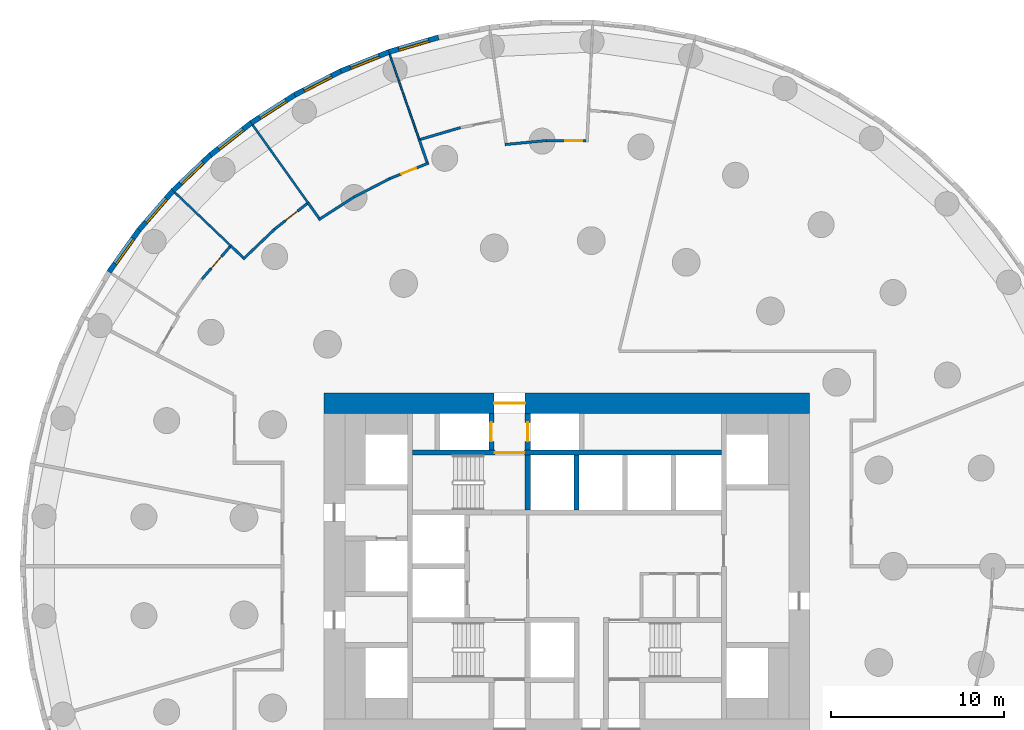
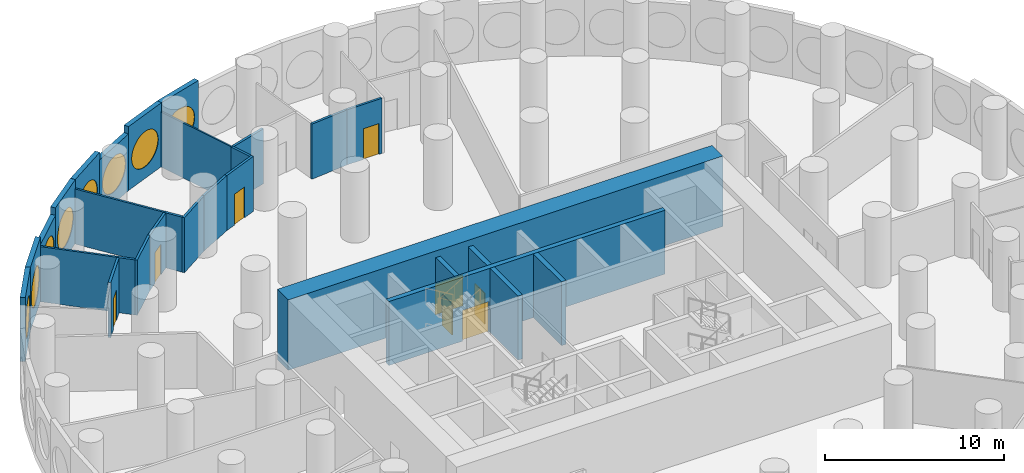
# One storey, part 7 of 11: 29 walls, 8 doors, 8 windows, 16 openings.
"""IFC4 building model written with IfcOpenShell, lengths in metres."""

from ifc_helpers import new_model, si_unit, direction, frame, frame_2d, origin, origin_2d, place, context, subcontext, project, spatial, rectangle, circle, extrude, material, layer, layer_set, type_object, element, fill, save


model = new_model("IFC4")

# Units and contexts
model_context = context("Model", 3, precision=1e-05, world=origin(), true_north=direction((0.0, 1.0)))
body_context = subcontext(model_context, "Body", "Model", "MODEL_VIEW")
ifc_project = project(units=[si_unit("LENGTHUNIT", "METRE"), si_unit("AREAUNIT", "SQUARE_METRE"), si_unit("VOLUMEUNIT", "CUBIC_METRE"), si_unit("PLANEANGLEUNIT", "RADIAN"), si_unit("MASSUNIT", "GRAM", prefix="KILO")], contexts=[model_context])

# Site, building, storey
site_placement = place(None, origin())
site = spatial("IfcSite", under=ifc_project, at=site_placement, CompositionType="ELEMENT")
building_placement = place(site_placement, origin())
building = spatial("IfcBuilding", under=site, at=building_placement, Name="Tracery Tower", CompositionType="ELEMENT")
storey_placement = place(building_placement, frame((0.0, 0.0, 23.39990234375)))
storey = spatial("IfcBuildingStorey", under=building, at=storey_placement, Name="L04", CompositionType="ELEMENT", Elevation=23.39990234375)

# Wall, opening, door
ifc_material_1 = material(Name="Concrete C60/75", Category="concrete")
ifc_layer_1 = layer(ifc_material_1, 1.199951171875)
ifc_layer_set_1 = layer_set([ifc_layer_1], Name="Core wall 1200 C60")
wall_type_1 = type_object("IfcWallType", Name="Core wall 1200 C60", PredefinedType="SOLIDWALL", material=ifc_layer_set_1)
wall_1_placement = place(storey_placement, frame((-14.0, 9.39990234375, 0.0), z_axis=(0.0, 0.0, 1.0), x_axis=(1.0, 0.0, 0.0)))
wall_1 = element("IfcWall", 1, at=wall_1_placement, inside=storey, type_object=wall_type_1, Name="L04 outer N", PredefinedType="SOLIDWALL", context=body_context, shape_type="SweptSolid", body=[
    extrude(rectangle(XDim=28.0, YDim=1.199951171875, at=frame_2d((14.0, 0.0))), origin(), (0.0, 0.0, 1.0), 4.800048828125),
])
opening_1_placement = place(wall_1_placement, frame((9.800048828125, 0.0, 0.0)))
opening_1 = element("IfcOpeningElement", 2, at=opening_1_placement, cuts=wall_1, Name="Opening KD13", PredefinedType="OPENING", context=body_context, shape_type="SweptSolid", body=[
    extrude(rectangle(XDim=1.800048828125, YDim=2.10009765625, at=frame_2d((0.89990234375, 1.050048828125))), frame((0.0, 0.60009765625, 0.0), z_axis=(0.0, -1.0, 0.0), x_axis=(1.0, 0.0, 0.0)), (0.0, 0.0, 1.0), 1.199951171875),
])
ifc_material_2 = material(Name="Steel fire door", Category="steel")
door_type_1 = type_object("IfcDoorType", Name="Core exit door 1800 double", OperationType="NOTDEFINED", PredefinedType="DOOR", material=ifc_material_2)
door_1_placement = place(opening_1_placement, origin())
door_1 = element("IfcDoor", 3, at=door_1_placement, inside=storey, type_object=door_type_1, Name="Core exit door", OperationType="DOUBLE_DOOR_SINGLE_SWING", OverallHeight=2.10009765625, OverallWidth=1.800048828125, PredefinedType="DOOR", context=body_context, shape_type="SweptSolid", body=[
    extrude(rectangle(XDim=1.800048828125, YDim=2.10009765625, at=frame_2d((0.89990234375, 1.050048828125))), frame((0.0, 0.02490234375, 0.0), z_axis=(0.0, -1.0, 0.0), x_axis=(1.0, 0.0, 0.0)), (0.0, 0.0, 1.0), 0.050048828125),
])
fill(opening_1, door_1)

ifc_material_3 = material(Name="Plasterboard on steel studs", Category="steel")
ifc_layer_2 = layer(ifc_material_3, 0.14990234375)
ifc_layer_set_2 = layer_set([ifc_layer_2], Name="Corridor partition 150")
wall_type_2 = type_object("IfcWallType", Name="Corridor partition 150", PredefinedType="PARTITIONING", material=ifc_layer_set_2)
wall_2_placement = place(storey_placement, frame((-21.0419921875, 16.547607421875, 0.0), z_axis=(0.0, 0.0, 1.0), x_axis=(0.654791429376, 0.755809621542, 0.0)))
wall_2 = element("IfcWall", 4, at=wall_2_placement, inside=storey, type_object=wall_type_2, Name="Corridor partition 150", PredefinedType="PARTITIONING", context=body_context, shape_type="SweptSolid", body=[
    extrude(rectangle(XDim=2.472412109375, YDim=0.14990234375, at=frame_2d((1.236328125, 0.0))), origin(), (0.0, 0.0, 1.0), 3.75),
])
opening_2_placement = place(wall_2_placement, frame((0.82373046875, 0.0, 0.0)))
opening_2 = element("IfcOpeningElement", 5, at=opening_2_placement, cuts=wall_2, Name="Opening SB-L04-09", PredefinedType="OPENING", context=body_context, shape_type="SweptSolid", body=[
    extrude(rectangle(XDim=0.89990234375, YDim=2.10009765625, at=frame_2d((0.449951171875, 1.050048828125))), frame((0.0, 0.074951171875, 0.0), z_axis=(0.0, -1.0, 0.0), x_axis=(1.0, 0.0, 0.0)), (0.0, 0.0, 1.0), 0.14990234375),
])
ifc_material_4 = material(Name="Timber door leaf", Category="wood")
door_type_2 = type_object("IfcDoorType", Name="Toilet door 900", OperationType="NOTDEFINED", PredefinedType="DOOR", material=ifc_material_4)
door_2_placement = place(opening_2_placement, origin())
door_2 = element("IfcDoor", 6, at=door_2_placement, inside=storey, type_object=door_type_2, Name="Toilet door 900", OperationType="SINGLE_SWING_RIGHT", OverallHeight=2.10009765625, OverallWidth=0.89990234375, PredefinedType="DOOR", context=body_context, shape_type="SweptSolid", body=[
    extrude(rectangle(XDim=0.89990234375, YDim=2.10009765625, at=frame_2d((0.449951171875, 1.050048828125))), frame((0.0, 0.02490234375, 0.0), z_axis=(0.0, -1.0, 0.0), x_axis=(1.0, 0.0, 0.0)), (0.0, 0.0, 1.0), 0.050048828125),
])
fill(opening_2, door_2)

# Walls
wall_3_placement = place(storey_placement, frame((-19.373779296875, 18.472900390625, 0.0), z_axis=(0.0, 0.0, 1.0), x_axis=(0.723786925296, -0.690023540737, 0.0)))
element("IfcWall", 7, at=wall_3_placement, inside=storey, type_object=wall_type_2, Name="Corridor partition 150", PredefinedType="PARTITIONING", context=body_context, shape_type="SweptSolid", body=[
    extrude(rectangle(XDim=0.97607421875, YDim=0.14990234375, at=frame_2d((0.488037109375, 0.0))), origin(), (0.0, 0.0, 1.0), 3.75),
])
wall_4_placement = place(storey_placement, frame((-16.841796875, 19.436279296875, 0.0), z_axis=(0.0, 0.0, 1.0), x_axis=(-0.723748787545, -0.690063542384, 0.0)))
element("IfcWall", 8, at=wall_4_placement, inside=storey, type_object=wall_type_2, Name="Corridor partition 150", PredefinedType="PARTITIONING", context=body_context, shape_type="SweptSolid", body=[
    extrude(rectangle(XDim=2.522216796875, YDim=0.14990234375, at=frame_2d((1.26123046875, 0.0))), origin(), (0.0, 0.0, 1.0), 3.75),
])

# Wall, opening, door
wall_5_placement = place(storey_placement, frame((-16.841796875, 19.436279296875, 0.0), z_axis=(0.0, 0.0, 1.0), x_axis=(0.786071894696, 0.618135079387, 0.0)))
wall_5 = element("IfcWall", 9, at=wall_5_placement, inside=storey, type_object=wall_type_2, Name="Corridor partition 150", PredefinedType="PARTITIONING", context=body_context, shape_type="SweptSolid", body=[
    extrude(rectangle(XDim=2.37255859375, YDim=0.14990234375, at=frame_2d((1.186279296875, 0.0))), origin(), (0.0, 0.0, 1.0), 3.75),
])
opening_3_placement = place(wall_5_placement, frame((0.773681640625, 0.0, 0.0)))
opening_3 = element("IfcOpeningElement", 10, at=opening_3_placement, cuts=wall_5, Name="Opening SB-L04-08", PredefinedType="OPENING", context=body_context, shape_type="SweptSolid", body=[
    extrude(rectangle(XDim=0.89990234375, YDim=2.10009765625, at=frame_2d((0.449951171875, 1.050048828125))), frame((0.0, 0.074951171875, 0.0), z_axis=(0.0, -1.0, 0.0), x_axis=(1.0, 0.0, 0.0)), (0.0, 0.0, 1.0), 0.14990234375),
])
door_3_placement = place(opening_3_placement, origin())
door_3 = element("IfcDoor", 11, at=door_3_placement, inside=storey, type_object=door_type_2, Name="Toilet door 900", OperationType="SINGLE_SWING_RIGHT", OverallHeight=2.10009765625, OverallWidth=0.89990234375, PredefinedType="DOOR", context=body_context, shape_type="SweptSolid", body=[
    extrude(rectangle(XDim=0.89990234375, YDim=2.10009765625, at=frame_2d((0.449951171875, 1.050048828125))), frame((0.0, 0.02490234375, 0.0), z_axis=(0.0, -1.0, 0.0), x_axis=(1.0, 0.0, 0.0)), (0.0, 0.0, 1.0), 0.050048828125),
])
fill(opening_3, door_3)

# Walls
wall_6_placement = place(storey_placement, frame((-14.91796875, 20.94921875, 0.0), z_axis=(0.0, 0.0, 1.0), x_axis=(0.580035908562, -0.814590906393, 0.0)))
element("IfcWall", 12, at=wall_6_placement, inside=storey, type_object=wall_type_2, Name="Corridor partition 150", PredefinedType="PARTITIONING", context=body_context, shape_type="SweptSolid", body=[
    extrude(rectangle(XDim=1.076171875, YDim=0.14990234375, at=frame_2d((0.5380859375, 0.0))), origin(), (0.0, 0.0, 1.0), 3.75),
])
wall_7_placement = place(storey_placement, frame((-12.283447265625, 21.275390625, 0.0), z_axis=(0.0, 0.0, 1.0), x_axis=(-0.8412573693, -0.540634847747, 0.0)))
element("IfcWall", 13, at=wall_7_placement, inside=storey, type_object=wall_type_2, Name="Corridor partition 150", PredefinedType="PARTITIONING", context=body_context, shape_type="SweptSolid", body=[
    extrude(rectangle(XDim=2.412841796875, YDim=0.14990234375, at=frame_2d((1.20654296875, 0.0))), origin(), (0.0, 0.0, 1.0), 3.75),
])
wall_8_placement = place(storey_placement, frame((-10.205322265625, 22.3466796875, 0.0), z_axis=(0.0, 0.0, 1.0), x_axis=(-0.888845697941, -0.458206640339, 0.0)))
element("IfcWall", 14, at=wall_8_placement, inside=storey, type_object=wall_type_2, Name="Corridor partition 150", PredefinedType="PARTITIONING", context=body_context, shape_type="SweptSolid", body=[
    extrude(rectangle(XDim=2.337890625, YDim=0.14990234375, at=frame_2d((1.1689453125, 0.0))), origin(), (0.0, 0.0, 1.0), 3.75),
])
wall_9_placement = place(storey_placement, frame((-8.509765625, 24.58740234375, 0.0), z_axis=(0.0, 0.0, 1.0), x_axis=(0.327061828961, -0.945002941814, 0.0)))
element("IfcWall", 15, at=wall_9_placement, inside=storey, type_object=wall_type_2, Name="Corridor partition 150", PredefinedType="PARTITIONING", context=body_context, shape_type="SweptSolid", body=[
    extrude(rectangle(XDim=1.37646484375, YDim=0.14990234375, at=frame_2d((0.688232421875, 0.0))), origin(), (0.0, 0.0, 1.0), 3.75),
])

# Wall, opening, door
wall_10_placement = place(storey_placement, frame((-10.205322265625, 22.3466796875, 0.0), z_axis=(0.0, 0.0, 1.0), x_axis=(0.928371979915, 0.371652346837, 0.0)))
wall_10 = element("IfcWall", 16, at=wall_10_placement, inside=storey, type_object=wall_type_2, Name="Corridor partition 150", PredefinedType="PARTITIONING", context=body_context, shape_type="SweptSolid", body=[
    extrude(rectangle(XDim=2.412841796875, YDim=0.14990234375, at=frame_2d((1.20654296875, 0.0))), origin(), (0.0, 0.0, 1.0), 3.75),
])
opening_4_placement = place(wall_10_placement, frame((0.718994140625, 0.0, 0.0)))
opening_4 = element("IfcOpeningElement", 17, at=opening_4_placement, cuts=wall_10, Name="Opening SB-L04-07", PredefinedType="OPENING", context=body_context, shape_type="SweptSolid", body=[
    extrude(rectangle(XDim=0.89990234375, YDim=2.10009765625, at=frame_2d((0.449951171875, 1.050048828125))), frame((0.0, 0.074951171875, 0.0), z_axis=(0.0, -1.0, 0.0), x_axis=(1.0, 0.0, 0.0)), (0.0, 0.0, 1.0), 0.14990234375),
])
ifc_material_5 = material(Name="Timber door leaf", Category="wood")
door_type_3 = type_object("IfcDoorType", Name="Room door 900", OperationType="NOTDEFINED", PredefinedType="DOOR", material=ifc_material_5)
door_4_placement = place(opening_4_placement, origin())
door_4 = element("IfcDoor", 18, at=door_4_placement, inside=storey, type_object=door_type_3, Name="Room door 900", OperationType="SINGLE_SWING_RIGHT", OverallHeight=2.10009765625, OverallWidth=0.89990234375, PredefinedType="DOOR", context=body_context, shape_type="SweptSolid", body=[
    extrude(rectangle(XDim=0.89990234375, YDim=2.10009765625, at=frame_2d((0.449951171875, 1.050048828125))), frame((0.0, 0.02490234375, 0.0), z_axis=(0.0, -1.0, 0.0), x_axis=(1.0, 0.0, 0.0)), (0.0, 0.0, 1.0), 0.050048828125),
])
fill(opening_4, door_4)

# Walls
wall_11_placement = place(storey_placement, frame((-6.134033203125, 25.284912109375, 0.0), z_axis=(0.0, 0.0, 1.0), x_axis=(-0.959511102272, -0.281670808954, 0.0)))
element("IfcWall", 19, at=wall_11_placement, inside=storey, type_object=wall_type_2, Name="Corridor partition 150", PredefinedType="PARTITIONING", context=body_context, shape_type="SweptSolid", body=[
    extrude(rectangle(XDim=2.40087890625, YDim=0.14990234375, at=frame_2d((1.200439453125, 0.0))), origin(), (0.0, 0.0, 1.0), 3.75),
])
wall_12_placement = place(storey_placement, frame((-1.1689453125, 24.538818359375, 0.0), z_axis=(0.0, 0.0, 1.0), x_axis=(-0.995475896214, -0.095014420263, 0.0)))
element("IfcWall", 20, at=wall_12_placement, inside=storey, type_object=wall_type_2, Name="Corridor partition 150", PredefinedType="PARTITIONING", context=body_context, shape_type="SweptSolid", body=[
    extrude(rectangle(XDim=2.412841796875, YDim=0.14990234375, at=frame_2d((1.20654296875, 0.0))), origin(), (0.0, 0.0, 1.0), 3.75),
])

# Wall, opening, door
wall_13_placement = place(storey_placement, frame((-1.1689453125, 24.538818359375, 0.0), z_axis=(0.0, 0.0, 1.0), x_axis=(1.0, 0.0, 0.0)))
wall_13 = element("IfcWall", 21, at=wall_13_placement, inside=storey, type_object=wall_type_2, Name="Corridor partition 150", PredefinedType="PARTITIONING", context=body_context, shape_type="SweptSolid", body=[
    extrude(rectangle(XDim=2.262939453125, YDim=0.14990234375, at=frame_2d((1.13134765625, 0.0))), origin(), (0.0, 0.0, 1.0), 3.75),
])
opening_5_placement = place(wall_13_placement, frame((1.06884765625, 0.0, 0.0)))
opening_5 = element("IfcOpeningElement", 22, at=opening_5_placement, cuts=wall_13, Name="Opening SB-L04-05", PredefinedType="OPENING", context=body_context, shape_type="SweptSolid", body=[
    extrude(rectangle(XDim=1.0, YDim=2.10009765625, at=frame_2d((0.5, 1.050048828125))), frame((0.0, 0.074951171875, 0.0), z_axis=(0.0, -1.0, 0.0), x_axis=(1.0, 0.0, 0.0)), (0.0, 0.0, 1.0), 0.14990234375),
])
ifc_material_6 = material(Name="Timber door leaf", Category="wood")
door_type_4 = type_object("IfcDoorType", Name="Public room door 1000", OperationType="NOTDEFINED", PredefinedType="DOOR", material=ifc_material_6)
door_5_placement = place(opening_5_placement, origin())
door_5 = element("IfcDoor", 23, at=door_5_placement, inside=storey, type_object=door_type_4, Name="Public room door 1000", OperationType="SINGLE_SWING_RIGHT", OverallHeight=2.10009765625, OverallWidth=1.0, PredefinedType="DOOR", context=body_context, shape_type="SweptSolid", body=[
    extrude(rectangle(XDim=1.0, YDim=2.10009765625, at=frame_2d((0.5, 1.050048828125))), frame((0.0, 0.02490234375, 0.0), z_axis=(0.0, -1.0, 0.0), x_axis=(1.0, 0.0, 0.0)), (0.0, 0.0, 1.0), 0.050048828125),
])
fill(opening_5, door_5)

# Wall, opening, window
ifc_material_7 = material(Name="Precast concrete C50/60", Category="concrete")
ifc_layer_3 = layer(ifc_material_7, 0.300048828125)
ifc_layer_set_3 = layer_set([ifc_layer_3], Name="Facade panel 3000 x 3850")
wall_type_3 = type_object("IfcWallType", Name="Facade panel 3000 x 3850", PredefinedType="SOLIDWALL", material=ifc_layer_set_3)
wall_14_placement = place(storey_placement, frame((-13.033447265625, 28.539306640625, 0.0), z_axis=(0.0, 0.0, 1.0), x_axis=(-0.888831268481, -0.458234630043, 0.0)))
wall_14 = element("IfcWall", 24, at=wall_14_placement, inside=storey, type_object=wall_type_3, Name="Facade panel 22 at L04", PredefinedType="SOLIDWALL", context=body_context, shape_type="SweptSolid", body=[
    extrude(rectangle(XDim=2.98583984375, YDim=0.300048828125, at=frame_2d((1.492919921875, 0.0))), origin(), (0.0, 0.0, 1.0), 3.85009765625),
])
opening_6_placement = place(wall_14_placement, frame((1.492919921875, 0.0, 2.0)))
opening_6 = element("IfcOpeningElement", 25, at=opening_6_placement, cuts=wall_14, Name="Opening WN2", PredefinedType="OPENING", context=body_context, shape_type="SweptSolid", body=[
    extrude(circle(Radius=1.199951171875, at=origin_2d()), frame((0.0, 0.159912109375, 0.0), z_axis=(0.0, -1.0, 0.0), x_axis=(1.0, 0.0, 0.0)), (0.0, 0.0, 1.0), 0.320068359375),
])
ifc_material_8 = material(Name="Aluminium frame with tinted double glazing", Category="aluminium")
window_type = type_object("IfcWindowType", Name="Round window 2400", PartitioningType="SINGLE_PANEL", PredefinedType="WINDOW", material=ifc_material_8)
window_1_placement = place(opening_6_placement, origin())
window_1 = element("IfcWindow", 26, at=window_1_placement, inside=storey, type_object=window_type, Name="Round window 22 at L04", OverallHeight=2.39990234375, OverallWidth=2.39990234375, PartitioningType="SINGLE_PANEL", PredefinedType="WINDOW", context=body_context, shape_type="SweptSolid", body=[
    extrude(circle(Radius=1.199951171875, at=origin_2d()), frame((0.0, 0.1201171875, 0.0), z_axis=(0.0, -1.0, 0.0), x_axis=(1.0, 0.0, 0.0)), (0.0, 0.0, 1.0), 0.10009765625),
])
fill(opening_6, window_1)

wall_15_placement = place(storey_placement, frame((-20.5458984375, 23.711181640625, 0.0), z_axis=(0.0, 0.0, 1.0), x_axis=(-0.723750841228, -0.690061388444, 0.0)))
wall_15 = element("IfcWall", 27, at=wall_15_placement, inside=storey, type_object=wall_type_3, Name="Facade panel 25 at L04", PredefinedType="SOLIDWALL", context=body_context, shape_type="SweptSolid", body=[
    extrude(rectangle(XDim=2.985595703125, YDim=0.300048828125, at=frame_2d((1.49267578125, 0.0))), origin(), (0.0, 0.0, 1.0), 3.85009765625),
])
opening_7_placement = place(wall_15_placement, frame((1.492919921875, 0.0, 2.0)))
opening_7 = element("IfcOpeningElement", 28, at=opening_7_placement, cuts=wall_15, Name="Opening WN2", PredefinedType="OPENING", context=body_context, shape_type="SweptSolid", body=[
    extrude(circle(Radius=1.199951171875, at=origin_2d()), frame((0.0, 0.159912109375, 0.0), z_axis=(0.0, -1.0, 0.0), x_axis=(1.0, 0.0, 0.0)), (0.0, 0.0, 1.0), 0.320068359375),
])
window_2_placement = place(opening_7_placement, origin())
window_2 = element("IfcWindow", 29, at=window_2_placement, inside=storey, type_object=window_type, Name="Round window 25 at L04", OverallHeight=2.39990234375, OverallWidth=2.39990234375, PartitioningType="SINGLE_PANEL", PredefinedType="WINDOW", context=body_context, shape_type="SweptSolid", body=[
    extrude(circle(Radius=1.199951171875, at=origin_2d()), frame((0.0, 0.1201171875, 0.0), z_axis=(0.0, -1.0, 0.0), x_axis=(1.0, 0.0, 0.0)), (0.0, 0.0, 1.0), 0.10009765625),
])
fill(opening_7, window_2)

ifc_material_9 = material(Name="Precast concrete C50/60", Category="concrete")
ifc_layer_4 = layer(ifc_material_9, 0.300048828125)
ifc_layer_set_4 = layer_set([ifc_layer_4], Name="Facade panel 3000 x 4350")
wall_type_4 = type_object("IfcWallType", Name="Facade panel 3000 x 4350", PredefinedType="SOLIDWALL", material=ifc_layer_set_4)
wall_16_placement = place(storey_placement, frame((-7.396728515625, 30.489990234375, 0.0), z_axis=(0.0, 0.0, 1.0), x_axis=(-0.959502108153, -0.281701445593, 0.0)))
wall_16 = element("IfcWall", 30, at=wall_16_placement, inside=storey, type_object=wall_type_4, Name="Facade panel 20 at L04", PredefinedType="SOLIDWALL", context=body_context, shape_type="SweptSolid", body=[
    extrude(rectangle(XDim=2.985595703125, YDim=0.300048828125, at=frame_2d((1.49267578125, 0.0))), origin(), (0.0, 0.0, 1.0), 4.35009765625),
])
opening_8_placement = place(wall_16_placement, frame((1.492919921875, 0.0, 2.0)))
opening_8 = element("IfcOpeningElement", 31, at=opening_8_placement, cuts=wall_16, Name="Opening WN2", PredefinedType="OPENING", context=body_context, shape_type="SweptSolid", body=[
    extrude(circle(Radius=1.199951171875, at=origin_2d()), frame((0.0, 0.159912109375, 0.0), z_axis=(0.0, -1.0, 0.0), x_axis=(1.0, 0.0, 0.0)), (0.0, 0.0, 1.0), 0.320068359375),
])
window_3_placement = place(opening_8_placement, origin())
window_3 = element("IfcWindow", 32, at=window_3_placement, inside=storey, type_object=window_type, Name="Round window 20 at L04", OverallHeight=2.39990234375, OverallWidth=2.39990234375, PartitioningType="SINGLE_PANEL", PredefinedType="WINDOW", context=body_context, shape_type="SweptSolid", body=[
    extrude(circle(Radius=1.199951171875, at=origin_2d()), frame((0.0, 0.1201171875, 0.0), z_axis=(0.0, -1.0, 0.0), x_axis=(1.0, 0.0, 0.0)), (0.0, 0.0, 1.0), 0.10009765625),
])
fill(opening_8, window_3)

wall_17_placement = place(storey_placement, frame((-10.261474609375, 29.64892578125, 0.0), z_axis=(0.0, 0.0, 1.0), x_axis=(-0.928380795373, -0.371630325434, 0.0)))
wall_17 = element("IfcWall", 33, at=wall_17_placement, inside=storey, type_object=wall_type_4, Name="Facade panel 21 at L04", PredefinedType="SOLIDWALL", context=body_context, shape_type="SweptSolid", body=[
    extrude(rectangle(XDim=2.98583984375, YDim=0.300048828125, at=frame_2d((1.492919921875, 0.0))), origin(), (0.0, 0.0, 1.0), 4.35009765625),
])
opening_9_placement = place(wall_17_placement, frame((1.492919921875, 0.0, 2.0)))
opening_9 = element("IfcOpeningElement", 34, at=opening_9_placement, cuts=wall_17, Name="Opening WN2", PredefinedType="OPENING", context=body_context, shape_type="SweptSolid", body=[
    extrude(circle(Radius=1.199951171875, at=origin_2d()), frame((0.0, 0.159912109375, 0.0), z_axis=(0.0, -1.0, 0.0), x_axis=(1.0, 0.0, 0.0)), (0.0, 0.0, 1.0), 0.320068359375),
])
window_4_placement = place(opening_9_placement, origin())
window_4 = element("IfcWindow", 35, at=window_4_placement, inside=storey, type_object=window_type, Name="Round window 21 at L04", OverallHeight=2.39990234375, OverallWidth=2.39990234375, PartitioningType="SINGLE_PANEL", PredefinedType="WINDOW", context=body_context, shape_type="SweptSolid", body=[
    extrude(circle(Radius=1.199951171875, at=origin_2d()), frame((0.0, 0.1201171875, 0.0), z_axis=(0.0, -1.0, 0.0), x_axis=(1.0, 0.0, 0.0)), (0.0, 0.0, 1.0), 0.10009765625),
])
fill(opening_9, window_4)

wall_18_placement = place(storey_placement, frame((-15.687255859375, 27.171142578125, 0.0), z_axis=(0.0, 0.0, 1.0), x_axis=(-0.841242231846, -0.540658401727, 0.0)))
wall_18 = element("IfcWall", 36, at=wall_18_placement, inside=storey, type_object=wall_type_4, Name="Facade panel 23 at L04", PredefinedType="SOLIDWALL", context=body_context, shape_type="SweptSolid", body=[
    extrude(rectangle(XDim=2.98583984375, YDim=0.300048828125, at=frame_2d((1.492919921875, 0.0))), origin(), (0.0, 0.0, 1.0), 4.35009765625),
])
opening_10_placement = place(wall_18_placement, frame((1.492919921875, 0.0, 2.0)))
opening_10 = element("IfcOpeningElement", 37, at=opening_10_placement, cuts=wall_18, Name="Opening WN2", PredefinedType="OPENING", context=body_context, shape_type="SweptSolid", body=[
    extrude(circle(Radius=1.199951171875, at=origin_2d()), frame((0.0, 0.159912109375, 0.0), z_axis=(0.0, -1.0, 0.0), x_axis=(1.0, 0.0, 0.0)), (0.0, 0.0, 1.0), 0.320068359375),
])
window_5_placement = place(opening_10_placement, origin())
window_5 = element("IfcWindow", 38, at=window_5_placement, inside=storey, type_object=window_type, Name="Round window 23 at L04", OverallHeight=2.39990234375, OverallWidth=2.39990234375, PartitioningType="SINGLE_PANEL", PredefinedType="WINDOW", context=body_context, shape_type="SweptSolid", body=[
    extrude(circle(Radius=1.199951171875, at=origin_2d()), frame((0.0, 0.1201171875, 0.0), z_axis=(0.0, -1.0, 0.0), x_axis=(1.0, 0.0, 0.0)), (0.0, 0.0, 1.0), 0.10009765625),
])
fill(opening_10, window_5)

wall_19_placement = place(storey_placement, frame((-18.198974609375, 25.556884765625, 0.0), z_axis=(0.0, 0.0, 1.0), x_axis=(-0.786043032847, -0.618171780747, 0.0)))
wall_19 = element("IfcWall", 39, at=wall_19_placement, inside=storey, type_object=wall_type_4, Name="Facade panel 24 at L04", PredefinedType="SOLIDWALL", context=body_context, shape_type="SweptSolid", body=[
    extrude(rectangle(XDim=2.98583984375, YDim=0.300048828125, at=frame_2d((1.492919921875, 0.0))), origin(), (0.0, 0.0, 1.0), 4.35009765625),
])
opening_11_placement = place(wall_19_placement, frame((1.492919921875, 0.0, 2.0)))
opening_11 = element("IfcOpeningElement", 40, at=opening_11_placement, cuts=wall_19, Name="Opening WN2", PredefinedType="OPENING", context=body_context, shape_type="SweptSolid", body=[
    extrude(circle(Radius=1.199951171875, at=origin_2d()), frame((0.0, 0.159912109375, 0.0), z_axis=(0.0, -1.0, 0.0), x_axis=(1.0, 0.0, 0.0)), (0.0, 0.0, 1.0), 0.320068359375),
])
window_6_placement = place(opening_11_placement, origin())
window_6 = element("IfcWindow", 41, at=window_6_placement, inside=storey, type_object=window_type, Name="Round window 24 at L04", OverallHeight=2.39990234375, OverallWidth=2.39990234375, PartitioningType="SINGLE_PANEL", PredefinedType="WINDOW", context=body_context, shape_type="SweptSolid", body=[
    extrude(circle(Radius=1.199951171875, at=origin_2d()), frame((0.0, 0.1201171875, 0.0), z_axis=(0.0, -1.0, 0.0), x_axis=(1.0, 0.0, 0.0)), (0.0, 0.0, 1.0), 0.10009765625),
])
fill(opening_11, window_6)

wall_20_placement = place(storey_placement, frame((-22.706787109375, 21.65087890625, 0.0), z_axis=(0.0, 0.0, 1.0), x_axis=(-0.654809121128, -0.755794294029, 0.0)))
wall_20 = element("IfcWall", 42, at=wall_20_placement, inside=storey, type_object=wall_type_4, Name="Facade panel 26 at L04", PredefinedType="SOLIDWALL", context=body_context, shape_type="SweptSolid", body=[
    extrude(rectangle(XDim=2.98583984375, YDim=0.300048828125, at=frame_2d((1.492919921875, 0.0))), origin(), (0.0, 0.0, 1.0), 4.35009765625),
])
opening_12_placement = place(wall_20_placement, frame((1.492919921875, 0.0, 2.0)))
opening_12 = element("IfcOpeningElement", 43, at=opening_12_placement, cuts=wall_20, Name="Opening WN2", PredefinedType="OPENING", context=body_context, shape_type="SweptSolid", body=[
    extrude(circle(Radius=1.199951171875, at=origin_2d()), frame((0.0, 0.159912109375, 0.0), z_axis=(0.0, -1.0, 0.0), x_axis=(1.0, 0.0, 0.0)), (0.0, 0.0, 1.0), 0.320068359375),
])
window_7_placement = place(opening_12_placement, origin())
window_7 = element("IfcWindow", 44, at=window_7_placement, inside=storey, type_object=window_type, Name="Round window 26 at L04", OverallHeight=2.39990234375, OverallWidth=2.39990234375, PartitioningType="SINGLE_PANEL", PredefinedType="WINDOW", context=body_context, shape_type="SweptSolid", body=[
    extrude(circle(Radius=1.199951171875, at=origin_2d()), frame((0.0, 0.1201171875, 0.0), z_axis=(0.0, -1.0, 0.0), x_axis=(1.0, 0.0, 0.0)), (0.0, 0.0, 1.0), 0.10009765625),
])
fill(opening_12, window_7)

wall_21_placement = place(storey_placement, frame((-24.661865234375, 19.394287109375, 0.0), z_axis=(0.0, 0.0, 1.0), x_axis=(-0.580100533892, -0.814544885551, 0.0)))
wall_21 = element("IfcWall", 45, at=wall_21_placement, inside=storey, type_object=wall_type_4, Name="Facade panel 27 at L04", PredefinedType="SOLIDWALL", context=body_context, shape_type="SweptSolid", body=[
    extrude(rectangle(XDim=2.985595703125, YDim=0.300048828125, at=frame_2d((1.49267578125, 0.0))), origin(), (0.0, 0.0, 1.0), 4.35009765625),
])
opening_13_placement = place(wall_21_placement, frame((1.492919921875, 0.0, 2.0)))
opening_13 = element("IfcOpeningElement", 46, at=opening_13_placement, cuts=wall_21, Name="Opening WN2", PredefinedType="OPENING", context=body_context, shape_type="SweptSolid", body=[
    extrude(circle(Radius=1.199951171875, at=origin_2d()), frame((0.0, 0.159912109375, 0.0), z_axis=(0.0, -1.0, 0.0), x_axis=(1.0, 0.0, 0.0)), (0.0, 0.0, 1.0), 0.320068359375),
])
window_8_placement = place(opening_13_placement, origin())
window_8 = element("IfcWindow", 47, at=window_8_placement, inside=storey, type_object=window_type, Name="Round window 27 at L04", OverallHeight=2.39990234375, OverallWidth=2.39990234375, PartitioningType="SINGLE_PANEL", PredefinedType="WINDOW", context=body_context, shape_type="SweptSolid", body=[
    extrude(circle(Radius=1.199951171875, at=origin_2d()), frame((0.0, 0.1201171875, 0.0), z_axis=(0.0, -1.0, 0.0), x_axis=(1.0, 0.0, 0.0)), (0.0, 0.0, 1.0), 0.10009765625),
])
fill(opening_13, window_8)

# Wall
ifc_material_10 = material(Name="Concrete C60/75", Category="concrete")
ifc_layer_5 = layer(ifc_material_10, 0.300048828125)
ifc_layer_set_5 = layer_set([ifc_layer_5], Name="Shaft wall 300 C60")
wall_type_5 = type_object("IfcWallType", Name="Shaft wall 300 C60", PredefinedType="SOLIDWALL", material=ifc_layer_set_5)
wall_22_placement = place(storey_placement, frame((0.550048828125, 3.25, 0.0), z_axis=(0.0, 0.0, 1.0), x_axis=(0.0, 1.0, 0.0)))
element("IfcWall", 48, at=wall_22_placement, inside=storey, type_object=wall_type_5, Name="L04 HR sep 1", PredefinedType="SOLIDWALL", context=body_context, shape_type="SweptSolid", body=[
    extrude(rectangle(XDim=3.14990234375, YDim=0.300048828125, at=frame_2d((1.574951171875, 0.0))), origin(), (0.0, 0.0, 1.0), 4.35009765625),
])

# Wall, opening, door
wall_23_placement = place(storey_placement, frame((-4.35009765625, 6.699951171875, 0.0), z_axis=(0.0, 0.0, 1.0), x_axis=(0.0, 1.0, 0.0)))
wall_23 = element("IfcWall", 49, at=wall_23_placement, inside=storey, type_object=wall_type_5, Name="L04 LR sep -4.35", PredefinedType="SOLIDWALL", context=body_context, shape_type="SweptSolid", body=[
    extrude(rectangle(XDim=2.10009765625, YDim=0.300048828125, at=frame_2d((1.050048828125, 0.0))), origin(), (0.0, 0.0, 1.0), 4.35009765625),
])
opening_14_placement = place(wall_23_placement, frame((0.5, 0.0, 0.0)))
opening_14 = element("IfcOpeningElement", 50, at=opening_14_placement, cuts=wall_23, Name="Opening KD50", PredefinedType="OPENING", context=body_context, shape_type="SweptSolid", body=[
    extrude(rectangle(XDim=1.10009765625, YDim=2.10009765625, at=frame_2d((0.550048828125, 1.050048828125))), frame((0.0, 0.14990234375, 0.0), z_axis=(0.0, -1.0, 0.0), x_axis=(1.0, 0.0, 0.0)), (0.0, 0.0, 1.0), 0.300048828125),
])
ifc_material_11 = material(Name="Steel fire door", Category="steel")
door_type_5 = type_object("IfcDoorType", Name="Landing door 1100", OperationType="NOTDEFINED", PredefinedType="DOOR", material=ifc_material_11)
door_6_placement = place(opening_14_placement, origin())
door_6 = element("IfcDoor", 51, at=door_6_placement, inside=storey, type_object=door_type_5, Name="Landing door LR3", OperationType="SLIDING_TO_RIGHT", OverallHeight=2.10009765625, OverallWidth=1.10009765625, PredefinedType="DOOR", context=body_context, shape_type="SweptSolid", body=[
    extrude(rectangle(XDim=1.10009765625, YDim=2.10009765625, at=frame_2d((0.550048828125, 1.050048828125))), frame((0.0, 0.02490234375, 0.0), z_axis=(0.0, -1.0, 0.0), x_axis=(1.0, 0.0, 0.0)), (0.0, 0.0, 1.0), 0.050048828125),
])
fill(opening_14, door_6)

# Wall
ifc_material_12 = material(Name="Concrete C60/75", Category="concrete")
ifc_layer_6 = layer(ifc_material_12, 0.300048828125)
ifc_layer_set_6 = layer_set([ifc_layer_6], Name="Stair wall 300 C60")
wall_type_6 = type_object("IfcWallType", Name="Stair wall 300 C60", PredefinedType="SOLIDWALL", material=ifc_layer_set_6)
wall_24_placement = place(storey_placement, frame((-2.25, 3.25, 0.0), z_axis=(0.0, 0.0, 1.0), x_axis=(0.0, 1.0, 0.0)))
element("IfcWall", 52, at=wall_24_placement, inside=storey, type_object=wall_type_6, Name="L04 ST3 E", PredefinedType="SOLIDWALL", context=body_context, shape_type="SweptSolid", body=[
    extrude(rectangle(XDim=3.14990234375, YDim=0.300048828125, at=frame_2d((1.574951171875, 0.0))), origin(), (0.0, 0.0, 1.0), 4.35009765625),
])

# Wall, opening, door
wall_25_placement = place(storey_placement, frame((-8.89990234375, 6.550048828125, 0.0), z_axis=(0.0, 0.0, 1.0), x_axis=(1.0, 0.0, 0.0)))
wall_25 = element("IfcWall", 53, at=wall_25_placement, inside=storey, type_object=wall_type_6, Name="L04 F N", PredefinedType="SOLIDWALL", context=body_context, shape_type="SweptSolid", body=[
    extrude(rectangle(XDim=17.7998046875, YDim=0.300048828125, at=frame_2d((8.89990234375, 0.0))), origin(), (0.0, 0.0, 1.0), 4.35009765625),
])
opening_15_placement = place(wall_25_placement, frame((4.75, 0.0, 0.0)))
opening_15 = element("IfcOpeningElement", 54, at=opening_15_placement, cuts=wall_25, Name="Opening KD3", PredefinedType="OPENING", context=body_context, shape_type="SweptSolid", body=[
    extrude(rectangle(XDim=1.699951171875, YDim=2.10009765625, at=frame_2d((0.85009765625, 1.050048828125))), frame((0.0, 0.14990234375, 0.0), z_axis=(0.0, -1.0, 0.0), x_axis=(1.0, 0.0, 0.0)), (0.0, 0.0, 1.0), 0.300048828125),
])
ifc_material_13 = material(Name="Steel fire door", Category="steel")
door_type_6 = type_object("IfcDoorType", Name="Core stair door 1700 double", OperationType="NOTDEFINED", PredefinedType="DOOR", material=ifc_material_13)
door_7_placement = place(opening_15_placement, origin())
door_7 = element("IfcDoor", 55, at=door_7_placement, inside=storey, type_object=door_type_6, Name="Stair door ST3 N", OperationType="DOUBLE_DOOR_SINGLE_SWING", OverallHeight=2.10009765625, OverallWidth=1.699951171875, PredefinedType="DOOR", context=body_context, shape_type="SweptSolid", body=[
    extrude(rectangle(XDim=1.699951171875, YDim=2.10009765625, at=frame_2d((0.85009765625, 1.050048828125))), frame((0.0, 0.02490234375, 0.0), z_axis=(0.0, -1.0, 0.0), x_axis=(1.0, 0.0, 0.0)), (0.0, 0.0, 1.0), 0.050048828125),
])
fill(opening_15, door_7)

wall_26_placement = place(storey_placement, frame((-2.25, 6.699951171875, 0.0), z_axis=(0.0, 0.0, 1.0), x_axis=(0.0, 1.0, 0.0)))
wall_26 = element("IfcWall", 56, at=wall_26_placement, inside=storey, type_object=wall_type_6, Name="L04 ST3 E out", PredefinedType="SOLIDWALL", context=body_context, shape_type="SweptSolid", body=[
    extrude(rectangle(XDim=2.10009765625, YDim=0.300048828125, at=frame_2d((1.050048828125, 0.0))), origin(), (0.0, 0.0, 1.0), 4.35009765625),
])
opening_16_placement = place(wall_26_placement, frame((0.5, 0.0, 0.0)))
opening_16 = element("IfcOpeningElement", 57, at=opening_16_placement, cuts=wall_26, Name="Opening KD49", PredefinedType="OPENING", context=body_context, shape_type="SweptSolid", body=[
    extrude(rectangle(XDim=1.10009765625, YDim=2.10009765625, at=frame_2d((0.550048828125, 1.050048828125))), frame((0.0, 0.14990234375, 0.0), z_axis=(0.0, -1.0, 0.0), x_axis=(1.0, 0.0, 0.0)), (0.0, 0.0, 1.0), 0.300048828125),
])
door_8_placement = place(opening_16_placement, origin())
door_8 = element("IfcDoor", 58, at=door_8_placement, inside=storey, type_object=door_type_5, Name="Landing door LR2", OperationType="SLIDING_TO_LEFT", OverallHeight=2.10009765625, OverallWidth=1.10009765625, PredefinedType="DOOR", context=body_context, shape_type="SweptSolid", body=[
    extrude(rectangle(XDim=1.10009765625, YDim=2.10009765625, at=frame_2d((0.550048828125, 1.050048828125))), frame((0.0, 0.02490234375, 0.0), z_axis=(0.0, -1.0, 0.0), x_axis=(1.0, 0.0, 0.0)), (0.0, 0.0, 1.0), 0.050048828125),
])
fill(opening_16, door_8)

# Walls
ifc_material_14 = material(Name="Plasterboard on steel studs", Category="steel")
ifc_layer_7 = layer(ifc_material_14, 0.10009765625)
ifc_layer_set_7 = layer_set([ifc_layer_7], Name="Stud partition 100")
wall_type_7 = type_object("IfcWallType", Name="Stud partition 100", PredefinedType="PARTITIONING", material=ifc_layer_set_7)
wall_27_placement = place(storey_placement, frame((-10.21240234375, 29.507080078125, 0.0), z_axis=(0.0, 0.0, 1.0), x_axis=(0.327054188725, -0.945005586035, 0.0)))
element("IfcWall", 59, at=wall_27_placement, inside=storey, type_object=wall_type_7, Name="Stud partition 100", PredefinedType="PARTITIONING", context=body_context, shape_type="SweptSolid", body=[
    extrude(rectangle(XDim=5.2060546875, YDim=0.10009765625, at=frame_2d((2.60302734375, 0.0))), origin(), (0.0, 0.0, 1.0), 3.75),
])
ifc_material_15 = material(Name="Plasterboard on steel studs", Category="steel")
ifc_layer_8 = layer(ifc_material_15, 0.125)
ifc_layer_set_8 = layer_set([ifc_layer_8], Name="Wet area partition 125")
wall_type_8 = type_object("IfcWallType", Name="Wet area partition 125", PredefinedType="PARTITIONING", material=ifc_layer_set_8)
wall_28_placement = place(storey_placement, frame((-22.59814453125, 21.547119140625, 0.0), z_axis=(0.0, 0.0, 1.0), x_axis=(0.723757276148, -0.690054639302, 0.0)))
element("IfcWall", 60, at=wall_28_placement, inside=storey, type_object=wall_type_8, Name="Wet area partition 125", PredefinedType="PARTITIONING", context=body_context, shape_type="SweptSolid", body=[
    extrude(rectangle(XDim=4.455078125, YDim=0.125, at=frame_2d((2.2275390625, 0.0))), origin(), (0.0, 0.0, 1.0), 3.75),
])
wall_29_placement = place(storey_placement, frame((-18.11181640625, 25.4345703125, 0.0), z_axis=(0.0, 0.0, 1.0), x_axis=(0.580038022369, -0.814589401236, 0.0)))
element("IfcWall", 61, at=wall_29_placement, inside=storey, type_object=wall_type_8, Name="Wet area partition 125", PredefinedType="PARTITIONING", context=body_context, shape_type="SweptSolid", body=[
    extrude(rectangle(XDim=5.50634765625, YDim=0.125, at=frame_2d((2.753173828125, 0.0))), origin(), (0.0, 0.0, 1.0), 3.75),
])

save(model, "model.ifc")
